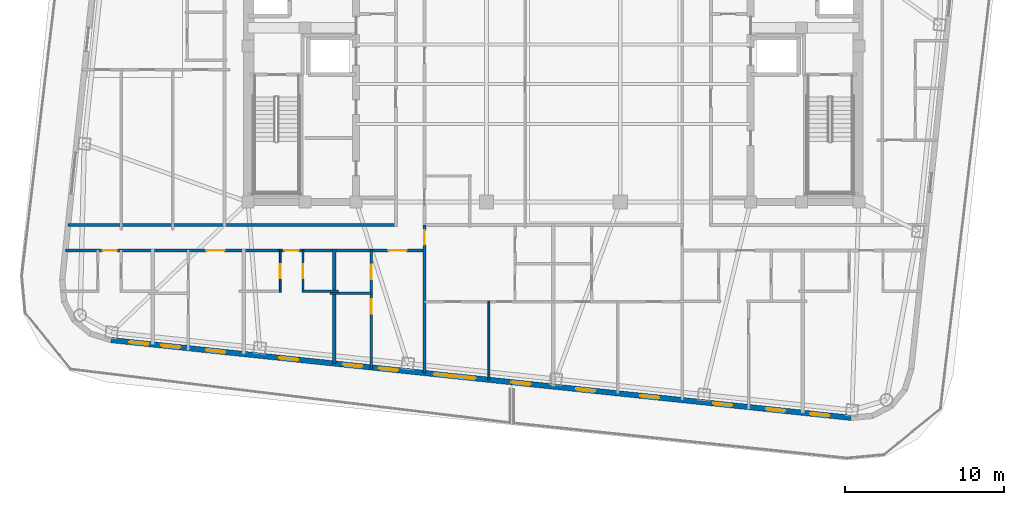
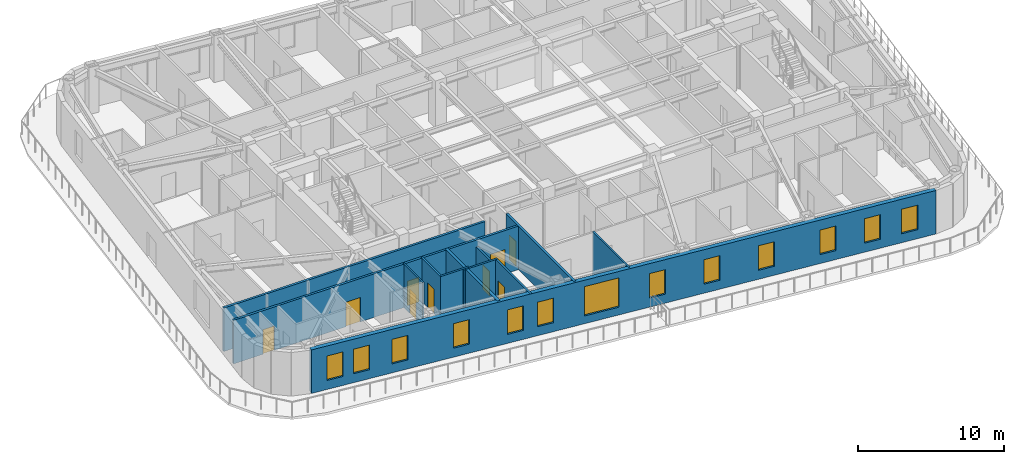
# One storey, part 3 of 14: 13 windows, 12 walls, 9 doors, 22 openings.
"""IFC4 building model written with IfcOpenShell, lengths in metres."""

from ifc_helpers import new_model, si_unit, direction, frame, frame_2d, origin, place, context, subcontext, project, spatial, rectangle, extrude, material, layer, layer_set, type_object, element, fill, save


model = new_model("IFC4")

# Units and contexts
model_context = context("Model", 3, precision=1e-05, world=origin(), true_north=direction((0.0, 1.0)))
body_context = subcontext(model_context, "Body", "Model", "MODEL_VIEW")
ifc_project = project(units=[si_unit("LENGTHUNIT", "METRE"), si_unit("AREAUNIT", "SQUARE_METRE"), si_unit("VOLUMEUNIT", "CUBIC_METRE"), si_unit("PLANEANGLEUNIT", "RADIAN"), si_unit("MASSUNIT", "GRAM", prefix="KILO")], contexts=[model_context])

# Site, building, storey
site_placement = place(None, origin())
site = spatial("IfcSite", under=ifc_project, at=site_placement, CompositionType="ELEMENT")
building_placement = place(site_placement, origin())
building = spatial("IfcBuilding", under=site, at=building_placement, Name="Voryun Gate Residences", CompositionType="ELEMENT")
storey_placement = place(building_placement, frame((0.0, 0.0, 291.199951171875)))
storey = spatial("IfcBuildingStorey", under=building, at=storey_placement, Name="L72", CompositionType="ELEMENT", Elevation=291.199951171875)

# Wall
ifc_material_1 = material(Name="Gypsum acoustic fireboard")
ifc_layer_1 = layer(ifc_material_1, 0.179931640625, Name="W_CORR_RATED_180")
ifc_layer_set_1 = layer_set([ifc_layer_1], Name="Gypsum acoustic fireboard")
wall_type_1 = type_object("IfcWallType", Name="W_CORR_RATED_180", PredefinedType="PARTITIONING", material=ifc_layer_set_1)
wall_1_placement = place(storey_placement, frame((-30.5068359375, -8.840087890625, 0.0), z_axis=(0.0, 0.0, 1.0), x_axis=(1.0, 0.0, 0.0)))
element("IfcWall", 1, at=wall_1_placement, inside=storey, type_object=wall_type_1, Name="Partition wall WP-L72-CWING-WS", PredefinedType="PARTITIONING", context=body_context, shape_type="SweptSolid", body=[
    extrude(rectangle(XDim=20.626953125, YDim=0.179931640625, at=frame_2d((10.3134765625, 0.0))), origin(), (0.0, 0.0, 1.0), 3.635009765625),
])

# Wall, openings, doors
wall_2_placement = place(storey_placement, frame((-30.676025390625, -10.449951171875, 0.0), z_axis=(0.0, 0.0, 1.0), x_axis=(1.0, 0.0, 0.0)))
wall_2 = element("IfcWall", 2, at=wall_2_placement, inside=storey, type_object=wall_type_1, Name="Partition wall WP-L72-SCORR-W", PredefinedType="PARTITIONING", context=body_context, shape_type="SweptSolid", body=[
    extrude(rectangle(XDim=22.595947265625, YDim=0.179931640625, at=frame_2d((11.2978515625, 0.0))), origin(), (0.0, 0.0, 1.0), 3.635009765625),
])
opening_1_placement = place(wall_2_placement, frame((2.336181640625, 0.0, 0.0)))
opening_1 = element("IfcOpeningElement", 3, at=opening_1_placement, cuts=wall_2, Name="Opening D-INT-2", PredefinedType="OPENING", context=body_context, shape_type="SweptSolid", body=[
    extrude(rectangle(XDim=0.89990234375, YDim=2.050048828125, at=frame_2d((0.449951171875, 1.02490234375))), frame((0.0, 0.099853515625, 0.0), z_axis=(0.0, -1.0, 0.0), x_axis=(1.0, 0.0, 0.0)), (0.0, 0.0, 1.0), 0.199951171875),
])
opening_2_placement = place(wall_2_placement, frame((8.861083984375, 0.0, 0.0)))
opening_2 = element("IfcOpeningElement", 4, at=opening_2_placement, cuts=wall_2, Name="Opening D-UNIT-1", PredefinedType="OPENING", context=body_context, shape_type="SweptSolid", body=[
    extrude(rectangle(XDim=1.14990234375, YDim=2.050048828125, at=frame_2d((0.574951171875, 1.02490234375))), frame((0.0, 0.099853515625, 0.0), z_axis=(0.0, -1.0, 0.0), x_axis=(1.0, 0.0, 0.0)), (0.0, 0.0, 1.0), 0.199951171875),
])
opening_3_placement = place(wall_2_placement, frame((13.774169921875, 0.0, 0.0)))
opening_3 = element("IfcOpeningElement", 5, at=opening_3_placement, cuts=wall_2, Name="Opening D-INT-2", PredefinedType="OPENING", context=body_context, shape_type="SweptSolid", body=[
    extrude(rectangle(XDim=0.89990234375, YDim=2.050048828125, at=frame_2d((0.449951171875, 1.02490234375))), frame((0.0, 0.099853515625, 0.0), z_axis=(0.0, -1.0, 0.0), x_axis=(1.0, 0.0, 0.0)), (0.0, 0.0, 1.0), 0.199951171875),
])
opening_4_placement = place(wall_2_placement, frame((20.30615234375, 0.0, 0.0)))
opening_4 = element("IfcOpeningElement", 6, at=opening_4_placement, cuts=wall_2, Name="Opening D-UNIT-1", PredefinedType="OPENING", context=body_context, shape_type="SweptSolid", body=[
    extrude(rectangle(XDim=1.14990234375, YDim=2.050048828125, at=frame_2d((0.574951171875, 1.02490234375))), frame((0.0, 0.099853515625, 0.0), z_axis=(0.0, -1.0, 0.0), x_axis=(1.0, 0.0, 0.0)), (0.0, 0.0, 1.0), 0.199951171875),
])
ifc_material_2 = material(Name="Architectural oak veneer")
door_type_1 = type_object("IfcDoorType", Name="DR_INT_BATH_900", OperationType="NOTDEFINED", PredefinedType="DOOR", material=ifc_material_2)
door_1_placement = place(opening_1_placement, origin())
door_1 = element("IfcDoor", 7, at=door_1_placement, inside=storey, type_object=door_type_1, Name="Door DR-L72-SENT-1", OperationType="SINGLE_SWING_RIGHT", OverallHeight=2.050048828125, OverallWidth=0.89990234375, PredefinedType="DOOR", context=body_context, shape_type="SweptSolid", body=[
    extrude(rectangle(XDim=0.89990234375, YDim=2.050048828125, at=frame_2d((0.449951171875, 1.02490234375))), frame((0.0, 0.02490234375, 0.0), z_axis=(0.0, -1.0, 0.0), x_axis=(1.0, 0.0, 0.0)), (0.0, 0.0, 1.0), 0.050048828125),
])
fill(opening_1, door_1)
door_2_placement = place(opening_3_placement, origin())
door_2 = element("IfcDoor", 8, at=door_2_placement, inside=storey, type_object=door_type_1, Name="Door DR-L72-SENT-3", OperationType="SINGLE_SWING_RIGHT", OverallHeight=2.050048828125, OverallWidth=0.89990234375, PredefinedType="DOOR", context=body_context, shape_type="SweptSolid", body=[
    extrude(rectangle(XDim=0.89990234375, YDim=2.050048828125, at=frame_2d((0.449951171875, 1.02490234375))), frame((0.0, 0.02490234375, 0.0), z_axis=(0.0, -1.0, 0.0), x_axis=(1.0, 0.0, 0.0)), (0.0, 0.0, 1.0), 0.050048828125),
])
fill(opening_3, door_2)
ifc_material_3 = material(Name="Armoured timber-clad fire door", Category="wood")
door_type_2 = type_object("IfcDoorType", Name="DR_UNIT_ENTRY_1150", OperationType="NOTDEFINED", PredefinedType="DOOR", material=ifc_material_3)
door_3_placement = place(opening_2_placement, origin())
door_3 = element("IfcDoor", 9, at=door_3_placement, inside=storey, type_object=door_type_2, Name="Door DR-L72-SENT-2", OperationType="SINGLE_SWING_LEFT", OverallHeight=2.050048828125, OverallWidth=1.14990234375, PredefinedType="DOOR", context=body_context, shape_type="SweptSolid", body=[
    extrude(rectangle(XDim=1.14990234375, YDim=2.050048828125, at=frame_2d((0.574951171875, 1.02490234375))), frame((0.0, 0.02490234375, 0.0), z_axis=(0.0, -1.0, 0.0), x_axis=(1.0, 0.0, 0.0)), (0.0, 0.0, 1.0), 0.050048828125),
])
fill(opening_2, door_3)
door_4_placement = place(opening_4_placement, origin())
door_4 = element("IfcDoor", 10, at=door_4_placement, inside=storey, type_object=door_type_2, Name="Door DR-L72-SENT-4", OperationType="SINGLE_SWING_LEFT", OverallHeight=2.050048828125, OverallWidth=1.14990234375, PredefinedType="DOOR", context=body_context, shape_type="SweptSolid", body=[
    extrude(rectangle(XDim=1.14990234375, YDim=2.050048828125, at=frame_2d((0.574951171875, 1.02490234375))), frame((0.0, 0.02490234375, 0.0), z_axis=(0.0, -1.0, 0.0), x_axis=(1.0, 0.0, 0.0)), (0.0, 0.0, 1.0), 0.050048828125),
])
fill(opening_4, door_4)

# Wall, opening, door
wall_3_placement = place(storey_placement, frame((-8.10009765625, -18.154541015625, 0.0), z_axis=(0.0, 0.0, 1.0), x_axis=(0.0, 1.0, 0.0)))
wall_3 = element("IfcWall", 11, at=wall_3_placement, inside=storey, type_object=wall_type_1, Name="Partition wall WP-L72-SZV-1", PredefinedType="PARTITIONING", context=body_context, shape_type="SweptSolid", body=[
    extrude(rectangle(XDim=9.314453125, YDim=0.179931640625, at=frame_2d((4.6572265625, 0.0))), origin(), (0.0, 0.0, 1.0), 3.635009765625),
])
opening_5_placement = place(wall_3_placement, frame((8.064453125, 0.0, 0.0)))
opening_5 = element("IfcOpeningElement", 12, at=opening_5_placement, cuts=wall_3, Name="Opening D-INT-2", PredefinedType="OPENING", context=body_context, shape_type="SweptSolid", body=[
    extrude(rectangle(XDim=0.89990234375, YDim=2.050048828125, at=frame_2d((0.449951171875, 1.02490234375))), frame((0.0, 0.099853515625, 0.0), z_axis=(0.0, -1.0, 0.0), x_axis=(1.0, 0.0, 0.0)), (0.0, 0.0, 1.0), 0.199951171875),
])
door_5_placement = place(opening_5_placement, origin())
door_5 = element("IfcDoor", 13, at=door_5_placement, inside=storey, type_object=door_type_1, Name="Door DR-L72-SZENT-1", OperationType="SINGLE_SWING_LEFT", OverallHeight=2.050048828125, OverallWidth=0.89990234375, PredefinedType="DOOR", context=body_context, shape_type="SweptSolid", body=[
    extrude(rectangle(XDim=0.89990234375, YDim=2.050048828125, at=frame_2d((0.449951171875, 1.02490234375))), frame((0.0, 0.02490234375, 0.0), z_axis=(0.0, -1.0, 0.0), x_axis=(1.0, 0.0, 0.0)), (0.0, 0.0, 1.0), 0.050048828125),
])
fill(opening_5, door_5)

# Wall, openings, windows
ifc_material_4 = material(Name="Charcoal terracotta masonry", Category="masonry")
ifc_layer_2 = layer(ifc_material_4, 0.340087890625, Name="W_EXT_TERRACOTTA_340")
ifc_layer_set_2 = layer_set([ifc_layer_2], Name="Charcoal terracotta masonry")
wall_type_2 = type_object("IfcWallType", Name="W_EXT_TERRACOTTA_340", PredefinedType="ELEMENTEDWALL", material=ifc_layer_set_2)
wall_4_placement = place(storey_placement, frame((18.707763671875, -20.97216796875, 0.0), z_axis=(0.0, 0.0, 1.0), x_axis=(-0.994521888554, 0.104528528102, 0.0)))
wall_4 = element("IfcWall", 14, at=wall_4_placement, inside=storey, type_object=wall_type_2, Name="Exterior wall WEXT-L72-01", PredefinedType="ELEMENTEDWALL", context=body_context, shape_type="SweptSolid", body=[
    extrude(rectangle(XDim=46.766357421875, YDim=0.340087890625, at=frame_2d((23.38330078125, 0.0))), origin(), (0.0, 0.0, 1.0), 3.635009765625),
])
opening_6_placement = place(wall_4_placement, frame((23.733154296875, 0.0, 0.64990234375)))
opening_6 = element("IfcOpeningElement", 15, at=opening_6_placement, cuts=wall_4, Name="Opening WN4", PredefinedType="OPENING", context=body_context, shape_type="SweptSolid", body=[
    extrude(rectangle(XDim=2.60009765625, YDim=2.449951171875, at=frame_2d((1.300048828125, 1.22509765625))), frame((0.0, 0.179931640625, 0.0), z_axis=(0.0, -1.0, 0.0), x_axis=(1.0, 0.0, 0.0)), (0.0, 0.0, 1.0), 0.360107421875),
])
opening_7_placement = place(wall_4_placement, frame((44.40185546875, 0.0, 0.75)))
opening_7 = element("IfcOpeningElement", 16, at=opening_7_placement, cuts=wall_4, Name="Opening WN6", PredefinedType="OPENING", context=body_context, shape_type="SweptSolid", body=[
    extrude(rectangle(XDim=1.199951171875, YDim=2.050048828125, at=frame_2d((0.60009765625, 1.02490234375))), frame((0.0, 0.179931640625, 0.0), z_axis=(0.0, -1.0, 0.0), x_axis=(1.0, 0.0, 0.0)), (0.0, 0.0, 1.0), 0.360107421875),
])
opening_8_placement = place(wall_4_placement, frame((39.5400390625, 0.0, 0.75)))
opening_8 = element("IfcOpeningElement", 17, at=opening_8_placement, cuts=wall_4, Name="Opening WN6", PredefinedType="OPENING", context=body_context, shape_type="SweptSolid", body=[
    extrude(rectangle(XDim=1.199951171875, YDim=2.050048828125, at=frame_2d((0.60009765625, 1.02490234375))), frame((0.0, 0.179931640625, 0.0), z_axis=(0.0, -1.0, 0.0), x_axis=(1.0, 0.0, 0.0)), (0.0, 0.0, 1.0), 0.360107421875),
])
opening_9_placement = place(wall_4_placement, frame((42.40576171875, 0.0, 0.75)))
opening_9 = element("IfcOpeningElement", 18, at=opening_9_placement, cuts=wall_4, Name="Opening WN6", PredefinedType="OPENING", context=body_context, shape_type="SweptSolid", body=[
    extrude(rectangle(XDim=1.199951171875, YDim=2.050048828125, at=frame_2d((0.60009765625, 1.02490234375))), frame((0.0, 0.179931640625, 0.0), z_axis=(0.0, -1.0, 0.0), x_axis=(1.0, 0.0, 0.0)), (0.0, 0.0, 1.0), 0.360107421875),
])
opening_10_placement = place(wall_4_placement, frame((34.93310546875, 0.0, 0.75)))
opening_10 = element("IfcOpeningElement", 19, at=opening_10_placement, cuts=wall_4, Name="Opening WN6", PredefinedType="OPENING", context=body_context, shape_type="SweptSolid", body=[
    extrude(rectangle(XDim=1.199951171875, YDim=2.050048828125, at=frame_2d((0.60009765625, 1.02490234375))), frame((0.0, 0.179931640625, 0.0), z_axis=(0.0, -1.0, 0.0), x_axis=(1.0, 0.0, 0.0)), (0.0, 0.0, 1.0), 0.360107421875),
])
opening_11_placement = place(wall_4_placement, frame((28.630859375, 0.0, 0.75)))
opening_11 = element("IfcOpeningElement", 20, at=opening_11_placement, cuts=wall_4, Name="Opening WN6", PredefinedType="OPENING", context=body_context, shape_type="SweptSolid", body=[
    extrude(rectangle(XDim=1.199951171875, YDim=2.050048828125, at=frame_2d((0.60009765625, 1.02490234375))), frame((0.0, 0.179931640625, 0.0), z_axis=(0.0, -1.0, 0.0), x_axis=(1.0, 0.0, 0.0)), (0.0, 0.0, 1.0), 0.360107421875),
])
opening_12_placement = place(wall_4_placement, frame((30.89599609375, 0.0, 0.75)))
opening_12 = element("IfcOpeningElement", 21, at=opening_12_placement, cuts=wall_4, Name="Opening WN6", PredefinedType="OPENING", context=body_context, shape_type="SweptSolid", body=[
    extrude(rectangle(XDim=1.199951171875, YDim=2.050048828125, at=frame_2d((0.60009765625, 1.02490234375))), frame((0.0, 0.179931640625, 0.0), z_axis=(0.0, -1.0, 0.0), x_axis=(1.0, 0.0, 0.0)), (0.0, 0.0, 1.0), 0.360107421875),
])
opening_13_placement = place(wall_4_placement, frame((7.501220703125, 0.0, 0.75)))
opening_13 = element("IfcOpeningElement", 22, at=opening_13_placement, cuts=wall_4, Name="Opening WN6", PredefinedType="OPENING", context=body_context, shape_type="SweptSolid", body=[
    extrude(rectangle(XDim=1.199951171875, YDim=2.050048828125, at=frame_2d((0.60009765625, 1.02490234375))), frame((0.0, 0.179931640625, 0.0), z_axis=(0.0, -1.0, 0.0), x_axis=(1.0, 0.0, 0.0)), (0.0, 0.0, 1.0), 0.360107421875),
])
opening_14_placement = place(wall_4_placement, frame((4.1591796875, 0.0, 0.75)))
opening_14 = element("IfcOpeningElement", 23, at=opening_14_placement, cuts=wall_4, Name="Opening WN6", PredefinedType="OPENING", context=body_context, shape_type="SweptSolid", body=[
    extrude(rectangle(XDim=1.199951171875, YDim=2.050048828125, at=frame_2d((0.60009765625, 1.02490234375))), frame((0.0, 0.179931640625, 0.0), z_axis=(0.0, -1.0, 0.0), x_axis=(1.0, 0.0, 0.0)), (0.0, 0.0, 1.0), 0.360107421875),
])
opening_15_placement = place(wall_4_placement, frame((1.36865234375, 0.0, 0.75)))
opening_15 = element("IfcOpeningElement", 24, at=opening_15_placement, cuts=wall_4, Name="Opening WN6", PredefinedType="OPENING", context=body_context, shape_type="SweptSolid", body=[
    extrude(rectangle(XDim=1.199951171875, YDim=2.050048828125, at=frame_2d((0.60009765625, 1.02490234375))), frame((0.0, 0.179931640625, 0.0), z_axis=(0.0, -1.0, 0.0), x_axis=(1.0, 0.0, 0.0)), (0.0, 0.0, 1.0), 0.360107421875),
])
opening_16_placement = place(wall_4_placement, frame((20.25439453125, 0.0, 0.75)))
opening_16 = element("IfcOpeningElement", 25, at=opening_16_placement, cuts=wall_4, Name="Opening WN6", PredefinedType="OPENING", context=body_context, shape_type="SweptSolid", body=[
    extrude(rectangle(XDim=1.199951171875, YDim=2.050048828125, at=frame_2d((0.60009765625, 1.02490234375))), frame((0.0, 0.179931640625, 0.0), z_axis=(0.0, -1.0, 0.0), x_axis=(1.0, 0.0, 0.0)), (0.0, 0.0, 1.0), 0.360107421875),
])
opening_17_placement = place(wall_4_placement, frame((16.172119140625, 0.0, 0.75)))
opening_17 = element("IfcOpeningElement", 26, at=opening_17_placement, cuts=wall_4, Name="Opening WN6", PredefinedType="OPENING", context=body_context, shape_type="SweptSolid", body=[
    extrude(rectangle(XDim=1.199951171875, YDim=2.050048828125, at=frame_2d((0.60009765625, 1.02490234375))), frame((0.0, 0.179931640625, 0.0), z_axis=(0.0, -1.0, 0.0), x_axis=(1.0, 0.0, 0.0)), (0.0, 0.0, 1.0), 0.360107421875),
])
opening_18_placement = place(wall_4_placement, frame((12.109619140625, 0.0, 0.75)))
opening_18 = element("IfcOpeningElement", 27, at=opening_18_placement, cuts=wall_4, Name="Opening WN6", PredefinedType="OPENING", context=body_context, shape_type="SweptSolid", body=[
    extrude(rectangle(XDim=1.199951171875, YDim=2.050048828125, at=frame_2d((0.60009765625, 1.02490234375))), frame((0.0, 0.179931640625, 0.0), z_axis=(0.0, -1.0, 0.0), x_axis=(1.0, 0.0, 0.0)), (0.0, 0.0, 1.0), 0.360107421875),
])
ifc_material_5 = material(Name="Laminated low-E glass", Category="glass")
window_type_1 = type_object("IfcWindowType", Name="WN_PENT_TALL_2600", PartitioningType="SINGLE_PANEL", PredefinedType="WINDOW", material=ifc_material_5)
window_1_placement = place(opening_6_placement, origin())
window_1 = element("IfcWindow", 28, at=window_1_placement, inside=storey, type_object=window_type_1, Name="Window WN-WEXT-L72-01-02", OverallHeight=2.449951171875, OverallWidth=2.60009765625, PartitioningType="SINGLE_PANEL", PredefinedType="WINDOW", context=body_context, shape_type="SweptSolid", body=[
    extrude(rectangle(XDim=2.60009765625, YDim=2.449951171875, at=frame_2d((1.300048828125, 1.22509765625))), frame((0.0, 0.030029296875, 0.0), z_axis=(0.0, -1.0, 0.0), x_axis=(1.0, 0.0, 0.0)), (0.0, 0.0, 1.0), 0.06005859375),
])
fill(opening_6, window_1)
ifc_material_6 = material(Name="Laminated low-E glass", Category="glass")
window_type_2 = type_object("IfcWindowType", Name="WN_POD_SLOT_1200", PartitioningType="SINGLE_PANEL", PredefinedType="WINDOW", material=ifc_material_6)
window_2_placement = place(opening_7_placement, origin())
window_2 = element("IfcWindow", 29, at=window_2_placement, inside=storey, type_object=window_type_2, Name="Window WN-L72-DWFIX-08", OverallHeight=2.050048828125, OverallWidth=1.199951171875, PartitioningType="SINGLE_PANEL", PredefinedType="WINDOW", context=body_context, shape_type="SweptSolid", body=[
    extrude(rectangle(XDim=1.199951171875, YDim=2.050048828125, at=frame_2d((0.60009765625, 1.02490234375))), frame((0.0, 0.030029296875, 0.0), z_axis=(0.0, -1.0, 0.0), x_axis=(1.0, 0.0, 0.0)), (0.0, 0.0, 1.0), 0.06005859375),
])
fill(opening_7, window_2)
window_3_placement = place(opening_8_placement, origin())
window_3 = element("IfcWindow", 30, at=window_3_placement, inside=storey, type_object=window_type_2, Name="Window WN-L72-DWFIX-09", OverallHeight=2.050048828125, OverallWidth=1.199951171875, PartitioningType="SINGLE_PANEL", PredefinedType="WINDOW", context=body_context, shape_type="SweptSolid", body=[
    extrude(rectangle(XDim=1.199951171875, YDim=2.050048828125, at=frame_2d((0.60009765625, 1.02490234375))), frame((0.0, 0.030029296875, 0.0), z_axis=(0.0, -1.0, 0.0), x_axis=(1.0, 0.0, 0.0)), (0.0, 0.0, 1.0), 0.06005859375),
])
fill(opening_8, window_3)
window_4_placement = place(opening_9_placement, origin())
window_4 = element("IfcWindow", 31, at=window_4_placement, inside=storey, type_object=window_type_2, Name="Window WN-L72-DWFIX-10", OverallHeight=2.050048828125, OverallWidth=1.199951171875, PartitioningType="SINGLE_PANEL", PredefinedType="WINDOW", context=body_context, shape_type="SweptSolid", body=[
    extrude(rectangle(XDim=1.199951171875, YDim=2.050048828125, at=frame_2d((0.60009765625, 1.02490234375))), frame((0.0, 0.030029296875, 0.0), z_axis=(0.0, -1.0, 0.0), x_axis=(1.0, 0.0, 0.0)), (0.0, 0.0, 1.0), 0.06005859375),
])
fill(opening_9, window_4)
window_5_placement = place(opening_10_placement, origin())
window_5 = element("IfcWindow", 32, at=window_5_placement, inside=storey, type_object=window_type_2, Name="Window WN-L72-DWFIX-11", OverallHeight=2.050048828125, OverallWidth=1.199951171875, PartitioningType="SINGLE_PANEL", PredefinedType="WINDOW", context=body_context, shape_type="SweptSolid", body=[
    extrude(rectangle(XDim=1.199951171875, YDim=2.050048828125, at=frame_2d((0.60009765625, 1.02490234375))), frame((0.0, 0.030029296875, 0.0), z_axis=(0.0, -1.0, 0.0), x_axis=(1.0, 0.0, 0.0)), (0.0, 0.0, 1.0), 0.06005859375),
])
fill(opening_10, window_5)
window_6_placement = place(opening_11_placement, origin())
window_6 = element("IfcWindow", 33, at=window_6_placement, inside=storey, type_object=window_type_2, Name="Window WN-L72-DWFIX-12", OverallHeight=2.050048828125, OverallWidth=1.199951171875, PartitioningType="SINGLE_PANEL", PredefinedType="WINDOW", context=body_context, shape_type="SweptSolid", body=[
    extrude(rectangle(XDim=1.199951171875, YDim=2.050048828125, at=frame_2d((0.60009765625, 1.02490234375))), frame((0.0, 0.030029296875, 0.0), z_axis=(0.0, -1.0, 0.0), x_axis=(1.0, 0.0, 0.0)), (0.0, 0.0, 1.0), 0.06005859375),
])
fill(opening_11, window_6)
window_7_placement = place(opening_12_placement, origin())
window_7 = element("IfcWindow", 34, at=window_7_placement, inside=storey, type_object=window_type_2, Name="Window WN-L72-DWFIX-13", OverallHeight=2.050048828125, OverallWidth=1.199951171875, PartitioningType="SINGLE_PANEL", PredefinedType="WINDOW", context=body_context, shape_type="SweptSolid", body=[
    extrude(rectangle(XDim=1.199951171875, YDim=2.050048828125, at=frame_2d((0.60009765625, 1.02490234375))), frame((0.0, 0.030029296875, 0.0), z_axis=(0.0, -1.0, 0.0), x_axis=(1.0, 0.0, 0.0)), (0.0, 0.0, 1.0), 0.06005859375),
])
fill(opening_12, window_7)
window_8_placement = place(opening_13_placement, origin())
window_8 = element("IfcWindow", 35, at=window_8_placement, inside=storey, type_object=window_type_2, Name="Window WN-L72-DWFIX-14", OverallHeight=2.050048828125, OverallWidth=1.199951171875, PartitioningType="SINGLE_PANEL", PredefinedType="WINDOW", context=body_context, shape_type="SweptSolid", body=[
    extrude(rectangle(XDim=1.199951171875, YDim=2.050048828125, at=frame_2d((0.60009765625, 1.02490234375))), frame((0.0, 0.030029296875, 0.0), z_axis=(0.0, -1.0, 0.0), x_axis=(1.0, 0.0, 0.0)), (0.0, 0.0, 1.0), 0.06005859375),
])
fill(opening_13, window_8)
window_9_placement = place(opening_14_placement, origin())
window_9 = element("IfcWindow", 36, at=window_9_placement, inside=storey, type_object=window_type_2, Name="Window WN-L72-DWFIX-15", OverallHeight=2.050048828125, OverallWidth=1.199951171875, PartitioningType="SINGLE_PANEL", PredefinedType="WINDOW", context=body_context, shape_type="SweptSolid", body=[
    extrude(rectangle(XDim=1.199951171875, YDim=2.050048828125, at=frame_2d((0.60009765625, 1.02490234375))), frame((0.0, 0.030029296875, 0.0), z_axis=(0.0, -1.0, 0.0), x_axis=(1.0, 0.0, 0.0)), (0.0, 0.0, 1.0), 0.06005859375),
])
fill(opening_14, window_9)
window_10_placement = place(opening_15_placement, origin())
window_10 = element("IfcWindow", 37, at=window_10_placement, inside=storey, type_object=window_type_2, Name="Window WN-L72-DWFIX-16", OverallHeight=2.050048828125, OverallWidth=1.199951171875, PartitioningType="SINGLE_PANEL", PredefinedType="WINDOW", context=body_context, shape_type="SweptSolid", body=[
    extrude(rectangle(XDim=1.199951171875, YDim=2.050048828125, at=frame_2d((0.60009765625, 1.02490234375))), frame((0.0, 0.030029296875, 0.0), z_axis=(0.0, -1.0, 0.0), x_axis=(1.0, 0.0, 0.0)), (0.0, 0.0, 1.0), 0.06005859375),
])
fill(opening_15, window_10)
window_11_placement = place(opening_16_placement, origin())
window_11 = element("IfcWindow", 38, at=window_11_placement, inside=storey, type_object=window_type_2, Name="Window WN-L72-DWFIX-17", OverallHeight=2.050048828125, OverallWidth=1.199951171875, PartitioningType="SINGLE_PANEL", PredefinedType="WINDOW", context=body_context, shape_type="SweptSolid", body=[
    extrude(rectangle(XDim=1.199951171875, YDim=2.050048828125, at=frame_2d((0.60009765625, 1.02490234375))), frame((0.0, 0.030029296875, 0.0), z_axis=(0.0, -1.0, 0.0), x_axis=(1.0, 0.0, 0.0)), (0.0, 0.0, 1.0), 0.06005859375),
])
fill(opening_16, window_11)
window_12_placement = place(opening_17_placement, origin())
window_12 = element("IfcWindow", 39, at=window_12_placement, inside=storey, type_object=window_type_2, Name="Window WN-L72-DWFIX-18", OverallHeight=2.050048828125, OverallWidth=1.199951171875, PartitioningType="SINGLE_PANEL", PredefinedType="WINDOW", context=body_context, shape_type="SweptSolid", body=[
    extrude(rectangle(XDim=1.199951171875, YDim=2.050048828125, at=frame_2d((0.60009765625, 1.02490234375))), frame((0.0, 0.030029296875, 0.0), z_axis=(0.0, -1.0, 0.0), x_axis=(1.0, 0.0, 0.0)), (0.0, 0.0, 1.0), 0.06005859375),
])
fill(opening_17, window_12)
window_13_placement = place(opening_18_placement, origin())
window_13 = element("IfcWindow", 40, at=window_13_placement, inside=storey, type_object=window_type_2, Name="Window WN-L72-DWFIX-19", OverallHeight=2.050048828125, OverallWidth=1.199951171875, PartitioningType="SINGLE_PANEL", PredefinedType="WINDOW", context=body_context, shape_type="SweptSolid", body=[
    extrude(rectangle(XDim=1.199951171875, YDim=2.050048828125, at=frame_2d((0.60009765625, 1.02490234375))), frame((0.0, 0.030029296875, 0.0), z_axis=(0.0, -1.0, 0.0), x_axis=(1.0, 0.0, 0.0)), (0.0, 0.0, 1.0), 0.06005859375),
])
fill(opening_18, window_13)

# Wall
ifc_material_7 = material(Name="Concrete C40/50", Category="concrete")
ifc_layer_3 = layer(ifc_material_7, 0.219970703125, Name="W_PARTY_ACOUSTIC_220")
ifc_layer_set_3 = layer_set([ifc_layer_3], Name="Concrete C40/50")
wall_type_3 = type_object("IfcWallType", Name="W_PARTY_ACOUSTIC_220", PredefinedType="PARTITIONING", material=ifc_layer_set_3)
wall_5_placement = place(storey_placement, frame((-13.779052734375, -17.5576171875, 0.0), z_axis=(0.0, 0.0, 1.0), x_axis=(0.0, 1.0, 0.0)))
element("IfcWall", 41, at=wall_5_placement, inside=storey, type_object=wall_type_3, Name="Partition wall WP-L72-SPTY-3", PredefinedType="PARTITIONING", context=body_context, shape_type="SweptSolid", body=[
    extrude(rectangle(XDim=7.1875, YDim=0.219970703125, at=frame_2d((3.59375, 0.0))), origin(), (0.0, 0.0, 1.0), 3.635009765625),
])

# Wall, opening, door
ifc_material_8 = material(Name="Gypsum acoustic partition")
ifc_layer_4 = layer(ifc_material_8, 0.125, Name="W_UNIT_PART_125")
ifc_layer_set_4 = layer_set([ifc_layer_4], Name="Gypsum acoustic partition")
wall_type_4 = type_object("IfcWallType", Name="W_UNIT_PART_125", PredefinedType="PARTITIONING", material=ifc_layer_set_4)
wall_6_placement = place(storey_placement, frame((-17.16796875, -13.080078125, 0.0), z_axis=(0.0, 0.0, 1.0), x_axis=(0.0, 1.0, 0.0)))
wall_6 = element("IfcWall", 42, at=wall_6_placement, inside=storey, type_object=wall_type_4, Name="Partition wall WP-L72-S3-CVK", PredefinedType="PARTITIONING", context=body_context, shape_type="SweptSolid", body=[
    extrude(rectangle(XDim=2.650146484375, YDim=0.125, at=frame_2d((1.3251953125, 0.0))), origin(), (0.0, 0.0, 1.0), 3.635009765625),
])
opening_19_placement = place(wall_6_placement, frame((0.875, 0.0, 0.0)))
opening_19 = element("IfcOpeningElement", 43, at=opening_19_placement, cuts=wall_6, Name="Opening D-INT-2", PredefinedType="OPENING", context=body_context, shape_type="SweptSolid", body=[
    extrude(rectangle(XDim=0.89990234375, YDim=2.050048828125, at=frame_2d((0.449951171875, 1.02490234375))), frame((0.0, 0.072509765625, 0.0), z_axis=(0.0, -1.0, 0.0), x_axis=(1.0, 0.0, 0.0)), (0.0, 0.0, 1.0), 0.14501953125),
])
door_6_placement = place(opening_19_placement, origin())
door_6 = element("IfcDoor", 44, at=door_6_placement, inside=storey, type_object=door_type_1, Name="Door DR-L72-S3-DK", OperationType="SINGLE_SWING_LEFT", OverallHeight=2.050048828125, OverallWidth=0.89990234375, PredefinedType="DOOR", context=body_context, shape_type="SweptSolid", body=[
    extrude(rectangle(XDim=0.89990234375, YDim=2.050048828125, at=frame_2d((0.449951171875, 1.02490234375))), frame((0.0, 0.02490234375, 0.0), z_axis=(0.0, -1.0, 0.0), x_axis=(1.0, 0.0, 0.0)), (0.0, 0.0, 1.0), 0.050048828125),
])
fill(opening_19, door_6)

# Wall
wall_7_placement = place(storey_placement, frame((-4.050048828125, -18.580078125, 0.0), z_axis=(0.0, 0.0, 1.0), x_axis=(0.0, 1.0, 0.0)))
element("IfcWall", 45, at=wall_7_placement, inside=storey, type_object=wall_type_4, Name="Partition wall WP-L72-SC1-VBD", PredefinedType="PARTITIONING", context=body_context, shape_type="SweptSolid", body=[
    extrude(rectangle(XDim=4.940185546875, YDim=0.125, at=frame_2d((2.47021484375, 0.0))), origin(), (0.0, 0.0, 1.0), 3.635009765625),
])

# Wall, opening, door
ifc_material_9 = material(Name="Gypsum moisture-resistant partition")
ifc_layer_5 = layer(ifc_material_9, 0.14990234375, Name="W_WET_PLUMB_150")
ifc_layer_set_5 = layer_set([ifc_layer_5], Name="Gypsum moisture-resistant partition")
wall_type_5 = type_object("IfcWallType", Name="W_WET_PLUMB_150", PredefinedType="PLUMBINGWALL", material=ifc_layer_set_5)
wall_8_placement = place(storey_placement, frame((-15.736083984375, -13.080078125, 0.0), z_axis=(0.0, 0.0, 1.0), x_axis=(0.0, 1.0, 0.0)))
wall_8 = element("IfcWall", 46, at=wall_8_placement, inside=storey, type_object=wall_type_5, Name="Partition wall WP-L72-S3-CVB", PredefinedType="PLUMBINGWALL", context=body_context, shape_type="SweptSolid", body=[
    extrude(rectangle(XDim=2.650146484375, YDim=0.14990234375, at=frame_2d((1.3251953125, 0.0))), origin(), (0.0, 0.0, 1.0), 3.635009765625),
])
opening_20_placement = place(wall_8_placement, frame((0.875, 0.0, 0.0)))
opening_20 = element("IfcOpeningElement", 47, at=opening_20_placement, cuts=wall_8, Name="Opening D-INT-2", PredefinedType="OPENING", context=body_context, shape_type="SweptSolid", body=[
    extrude(rectangle(XDim=0.89990234375, YDim=2.050048828125, at=frame_2d((0.449951171875, 1.02490234375))), frame((0.0, 0.0849609375, 0.0), z_axis=(0.0, -1.0, 0.0), x_axis=(1.0, 0.0, 0.0)), (0.0, 0.0, 1.0), 0.169921875),
])
door_7_placement = place(opening_20_placement, origin())
door_7 = element("IfcDoor", 48, at=door_7_placement, inside=storey, type_object=door_type_1, Name="Door DR-L72-S3-DB", OperationType="SINGLE_SWING_RIGHT", OverallHeight=2.050048828125, OverallWidth=0.89990234375, PredefinedType="DOOR", context=body_context, shape_type="SweptSolid", body=[
    extrude(rectangle(XDim=0.89990234375, YDim=2.050048828125, at=frame_2d((0.449951171875, 1.02490234375))), frame((0.0, 0.02490234375, 0.0), z_axis=(0.0, -1.0, 0.0), x_axis=(1.0, 0.0, 0.0)), (0.0, 0.0, 1.0), 0.050048828125),
])
fill(opening_20, door_7)

# Walls
wall_9_placement = place(storey_placement, frame((-15.7958984375, -13.02001953125, 0.0), z_axis=(0.0, 0.0, 1.0), x_axis=(1.0, 0.0, 0.0)))
element("IfcWall", 49, at=wall_9_placement, inside=storey, type_object=wall_type_5, Name="Partition wall WP-L72-S3-CHB", PredefinedType="PLUMBINGWALL", context=body_context, shape_type="SweptSolid", body=[
    extrude(rectangle(XDim=2.27685546875, YDim=0.14990234375, at=frame_2d((1.138427734375, 0.0))), origin(), (0.0, 0.0, 1.0), 3.635009765625),
])
wall_10_placement = place(storey_placement, frame((-14.0390625, -13.14990234375, 0.0), z_axis=(0.0, 0.0, 1.0), x_axis=(1.0, 0.0, 0.0)))
element("IfcWall", 50, at=wall_10_placement, inside=storey, type_object=wall_type_5, Name="Partition wall WP-L72-S4-SKB", PredefinedType="PLUMBINGWALL", context=body_context, shape_type="SweptSolid", body=[
    extrude(rectangle(XDim=2.671142578125, YDim=0.14990234375, at=frame_2d((1.33544921875, 0.0))), origin(), (0.0, 0.0, 1.0), 3.635009765625),
])

# Wall, opening, door
wall_11_placement = place(storey_placement, frame((-11.447998046875, -17.95361328125, 0.0), z_axis=(0.0, 0.0, 1.0), x_axis=(0.0, 1.0, 0.0)))
wall_11 = element("IfcWall", 51, at=wall_11_placement, inside=storey, type_object=wall_type_5, Name="Partition wall WP-L72-S4-SVT1", PredefinedType="PLUMBINGWALL", context=body_context, shape_type="SweptSolid", body=[
    extrude(rectangle(XDim=4.843505859375, YDim=0.14990234375, at=frame_2d((2.421875, 0.0))), origin(), (0.0, 0.0, 1.0), 3.635009765625),
])
opening_21_placement = place(wall_11_placement, frame((3.521728515625, 0.0, 0.0)))
opening_21 = element("IfcOpeningElement", 52, at=opening_21_placement, cuts=wall_11, Name="Opening D-INT-2", PredefinedType="OPENING", context=body_context, shape_type="SweptSolid", body=[
    extrude(rectangle(XDim=0.89990234375, YDim=2.050048828125, at=frame_2d((0.449951171875, 1.02490234375))), frame((0.0, 0.0849609375, 0.0), z_axis=(0.0, -1.0, 0.0), x_axis=(1.0, 0.0, 0.0)), (0.0, 0.0, 1.0), 0.169921875),
])
door_8_placement = place(opening_21_placement, origin())
door_8 = element("IfcDoor", 53, at=door_8_placement, inside=storey, type_object=door_type_1, Name="Door DR-L72-S4-DK", OperationType="SINGLE_SWING_LEFT", OverallHeight=2.050048828125, OverallWidth=0.89990234375, PredefinedType="DOOR", context=body_context, shape_type="SweptSolid", body=[
    extrude(rectangle(XDim=0.89990234375, YDim=2.050048828125, at=frame_2d((0.449951171875, 1.02490234375))), frame((0.0, 0.02490234375, 0.0), z_axis=(0.0, -1.0, 0.0), x_axis=(1.0, 0.0, 0.0)), (0.0, 0.0, 1.0), 0.050048828125),
])
fill(opening_21, door_8)

wall_12_placement = place(storey_placement, frame((-11.447998046875, -13.18994140625, 0.0), z_axis=(0.0, 0.0, 1.0), x_axis=(0.0, 1.0, 0.0)))
wall_12 = element("IfcWall", 54, at=wall_12_placement, inside=storey, type_object=wall_type_5, Name="Partition wall WP-L72-S4-SVT2", PredefinedType="PLUMBINGWALL", context=body_context, shape_type="SweptSolid", body=[
    extrude(rectangle(XDim=2.760009765625, YDim=0.14990234375, at=frame_2d((1.3798828125, 0.0))), origin(), (0.0, 0.0, 1.0), 3.074951171875),
])
opening_22_placement = place(wall_12_placement, frame((0.929931640625, 0.0, 0.0)))
opening_22 = element("IfcOpeningElement", 55, at=opening_22_placement, cuts=wall_12, Name="Opening D-INT-2", PredefinedType="OPENING", context=body_context, shape_type="SweptSolid", body=[
    extrude(rectangle(XDim=0.89990234375, YDim=2.050048828125, at=frame_2d((0.449951171875, 1.02490234375))), frame((0.0, 0.0849609375, 0.0), z_axis=(0.0, -1.0, 0.0), x_axis=(1.0, 0.0, 0.0)), (0.0, 0.0, 1.0), 0.169921875),
])
door_9_placement = place(opening_22_placement, origin())
door_9 = element("IfcDoor", 56, at=door_9_placement, inside=storey, type_object=door_type_1, Name="Door DR-L72-S4-DB", OperationType="SINGLE_SWING_RIGHT", OverallHeight=2.050048828125, OverallWidth=0.89990234375, PredefinedType="DOOR", context=body_context, shape_type="SweptSolid", body=[
    extrude(rectangle(XDim=0.89990234375, YDim=2.050048828125, at=frame_2d((0.449951171875, 1.02490234375))), frame((0.0, 0.02490234375, 0.0), z_axis=(0.0, -1.0, 0.0), x_axis=(1.0, 0.0, 0.0)), (0.0, 0.0, 1.0), 0.050048828125),
])
fill(opening_22, door_9)

save(model, "model.ifc")
